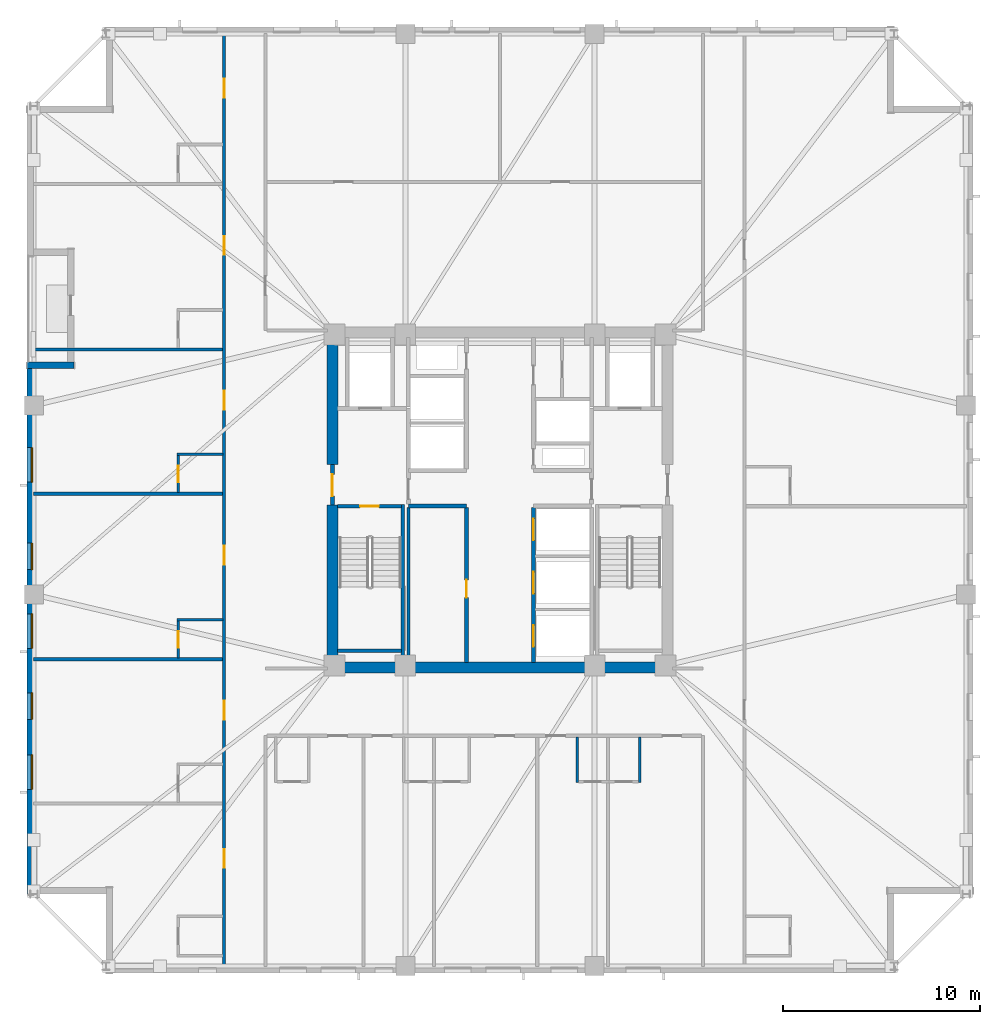
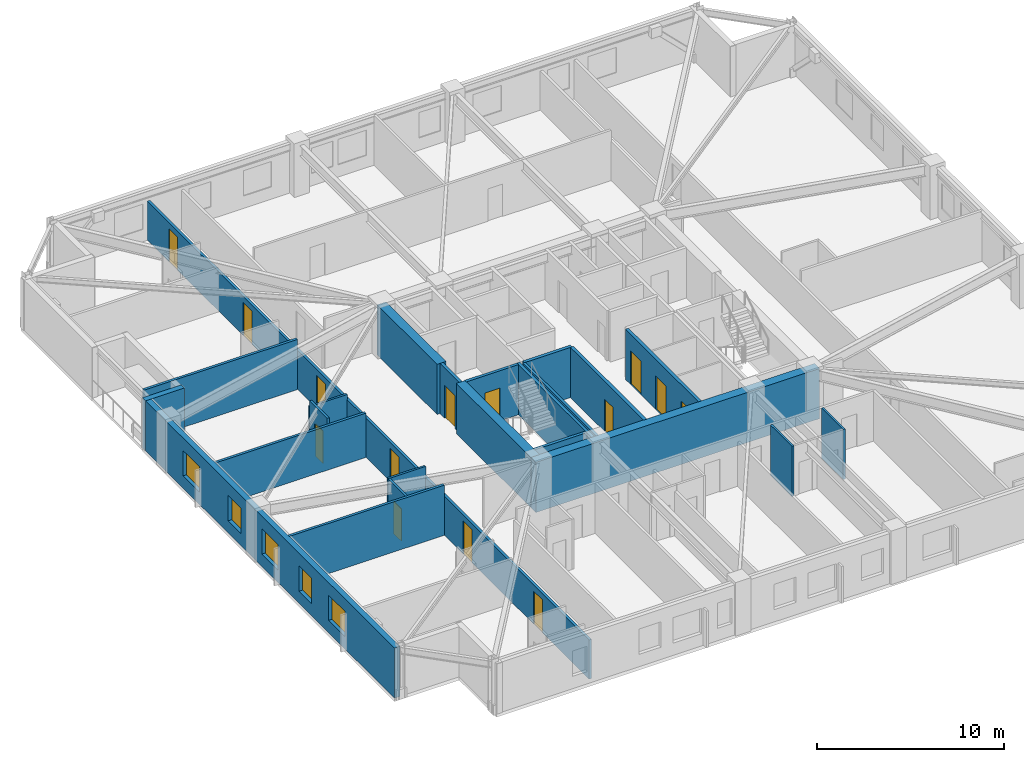
# One storey, part 3 of 11: 23 walls, 14 doors, 5 windows, 19 openings.
"""IFC4 building model written with IfcOpenShell, lengths in metres."""

from ifc_helpers import new_model, si_unit, direction, frame, frame_2d, origin, place, context, subcontext, project, spatial, rectangle, extrude, material, layer, layer_set, type_object, element, fill, save


model = new_model("IFC4")

# Units and contexts
model_context = context("Model", 3, precision=1e-05, world=origin(), true_north=direction((0.0, 1.0)))
body_context = subcontext(model_context, "Body", "Model", "MODEL_VIEW")
ifc_project = project(units=[si_unit("LENGTHUNIT", "METRE"), si_unit("AREAUNIT", "SQUARE_METRE"), si_unit("VOLUMEUNIT", "CUBIC_METRE"), si_unit("PLANEANGLEUNIT", "RADIAN"), si_unit("MASSUNIT", "GRAM", prefix="KILO")], contexts=[model_context])

# Site, building, storey
site_placement = place(None, origin())
site = spatial("IfcSite", under=ifc_project, at=site_placement, CompositionType="ELEMENT")
building_placement = place(site_placement, origin())
building = spatial("IfcBuilding", under=site, at=building_placement, Name="Cairnveth Concourse Tower", CompositionType="ELEMENT")
storey_placement = place(building_placement, frame((0.0, 0.0, 116.5)))
storey = spatial("IfcBuildingStorey", under=building, at=storey_placement, Name="L31", CompositionType="ELEMENT", Elevation=116.5)

# Wall
ifc_material_1 = material(Name="Gypsum Plasterboard Partition", Category="gypsum")
ifc_layer_1 = layer(ifc_material_1, 0.159912109375)
ifc_layer_set_1 = layer_set([ifc_layer_1], Name="Gypsum Plasterboard Partition")
wall_type_1 = type_object("IfcWallType", Name="ACOUSTIC PARTY WALL 180", PredefinedType="PARTITIONING", material=ifc_layer_set_1)
wall_1_placement = place(storey_placement, frame((47.35009765625, 30.760009765625, 0.0), z_axis=(0.0, 0.0, 1.0), x_axis=(0.0, 1.0, 0.0)))
element("IfcWall", 1, at=wall_1_placement, inside=storey, type_object=wall_type_1, Name="Interior Wall IW-L31-025", PredefinedType="PARTITIONING", context=body_context, shape_type="SweptSolid", body=[
    extrude(rectangle(XDim=7.85498046875, YDim=0.159912109375, at=frame_2d((3.927490234375, 0.0))), origin(), (0.0, 0.0, 1.0), 3.280029296875),
])

# Wall, openings, doors
wall_2_placement = place(storey_placement, frame((38.0, 15.324951171875, 0.0), z_axis=(0.0, 0.0, 1.0), x_axis=(0.0, 1.0, 0.0)))
wall_2 = element("IfcWall", 2, at=wall_2_placement, inside=storey, type_object=wall_type_1, Name="Interior Wall IW-L31-036", PredefinedType="PARTITIONING", context=body_context, shape_type="SweptSolid", body=[
    extrude(rectangle(XDim=47.35009765625, YDim=0.159912109375, at=frame_2d((23.675048828125, 0.0))), origin(), (0.0, 0.0, 1.0), 2.554931640625),
])
opening_1_placement = place(wall_2_placement, frame((5.00341796875, 0.0, 0.0)))
opening_1 = element("IfcOpeningElement", 3, at=opening_1_placement, cuts=wall_2, Name="Opening ID09", PredefinedType="OPENING", context=body_context, shape_type="SweptSolid", body=[
    extrude(rectangle(XDim=0.9599609375, YDim=2.14990234375, at=frame_2d((0.47998046875, 1.074951171875))), frame((0.0, 0.08984375, 0.0), z_axis=(0.0, -1.0, 0.0), x_axis=(1.0, 0.0, 0.0)), (0.0, 0.0, 1.0), 0.179931640625),
])
opening_2_placement = place(wall_2_placement, frame((12.52880859375, 0.0, 0.0)))
opening_2 = element("IfcOpeningElement", 4, at=opening_2_placement, cuts=wall_2, Name="Opening ID09", PredefinedType="OPENING", context=body_context, shape_type="SweptSolid", body=[
    extrude(rectangle(XDim=0.9599609375, YDim=2.14990234375, at=frame_2d((0.47998046875, 1.074951171875))), frame((0.0, 0.08984375, 0.0), z_axis=(0.0, -1.0, 0.0), x_axis=(1.0, 0.0, 0.0)), (0.0, 0.0, 1.0), 0.179931640625),
])
opening_3_placement = place(wall_2_placement, frame((20.388671875, 0.0, 0.0)))
opening_3 = element("IfcOpeningElement", 5, at=opening_3_placement, cuts=wall_2, Name="Opening ID09", PredefinedType="OPENING", context=body_context, shape_type="SweptSolid", body=[
    extrude(rectangle(XDim=0.9599609375, YDim=2.14990234375, at=frame_2d((0.47998046875, 1.074951171875))), frame((0.0, 0.08984375, 0.0), z_axis=(0.0, -1.0, 0.0), x_axis=(1.0, 0.0, 0.0)), (0.0, 0.0, 1.0), 0.179931640625),
])
opening_4_placement = place(wall_2_placement, frame((28.248779296875, 0.0, 0.0)))
opening_4 = element("IfcOpeningElement", 6, at=opening_4_placement, cuts=wall_2, Name="Opening ID09", PredefinedType="OPENING", context=body_context, shape_type="SweptSolid", body=[
    extrude(rectangle(XDim=0.9599609375, YDim=2.14990234375, at=frame_2d((0.47998046875, 1.074951171875))), frame((0.0, 0.08984375, 0.0), z_axis=(0.0, -1.0, 0.0), x_axis=(1.0, 0.0, 0.0)), (0.0, 0.0, 1.0), 0.179931640625),
])
opening_5_placement = place(wall_2_placement, frame((36.10888671875, 0.0, 0.0)))
opening_5 = element("IfcOpeningElement", 7, at=opening_5_placement, cuts=wall_2, Name="Opening ID09", PredefinedType="OPENING", context=body_context, shape_type="SweptSolid", body=[
    extrude(rectangle(XDim=0.9599609375, YDim=2.14990234375, at=frame_2d((0.47998046875, 1.074951171875))), frame((0.0, 0.08984375, 0.0), z_axis=(0.0, -1.0, 0.0), x_axis=(1.0, 0.0, 0.0)), (0.0, 0.0, 1.0), 0.179931640625),
])
opening_6_placement = place(wall_2_placement, frame((44.07861328125, 0.0, 0.0)))
opening_6 = element("IfcOpeningElement", 8, at=opening_6_placement, cuts=wall_2, Name="Opening ID09", PredefinedType="OPENING", context=body_context, shape_type="SweptSolid", body=[
    extrude(rectangle(XDim=0.9599609375, YDim=2.14990234375, at=frame_2d((0.47998046875, 1.074951171875))), frame((0.0, 0.08984375, 0.0), z_axis=(0.0, -1.0, 0.0), x_axis=(1.0, 0.0, 0.0)), (0.0, 0.0, 1.0), 0.179931640625),
])
ifc_material_2 = material(Name="Solid Core Hardwood Timber Leaf", Category="wood")
door_type_1 = type_object("IfcDoorType", Name="HOTEL ENTRANCE DOOR 960X2150", OperationType="NOTDEFINED", PredefinedType="DOOR", material=ifc_material_2)
door_1_placement = place(opening_1_placement, origin())
door_1 = element("IfcDoor", 9, at=door_1_placement, inside=storey, type_object=door_type_1, Name="Hotel Room Door L31-W1", OperationType="SINGLE_SWING_LEFT", OverallHeight=2.14990234375, OverallWidth=0.9599609375, PredefinedType="DOOR", context=body_context, shape_type="SweptSolid", body=[
    extrude(rectangle(XDim=0.9599609375, YDim=2.14990234375, at=frame_2d((0.47998046875, 1.074951171875))), frame((0.0, 0.02490234375, 0.0), z_axis=(0.0, -1.0, 0.0), x_axis=(1.0, 0.0, 0.0)), (0.0, 0.0, 1.0), 0.050048828125),
])
fill(opening_1, door_1)
door_2_placement = place(opening_2_placement, origin())
door_2 = element("IfcDoor", 10, at=door_2_placement, inside=storey, type_object=door_type_1, Name="Hotel Room Door L31-W2", OperationType="SINGLE_SWING_LEFT", OverallHeight=2.14990234375, OverallWidth=0.9599609375, PredefinedType="DOOR", context=body_context, shape_type="SweptSolid", body=[
    extrude(rectangle(XDim=0.9599609375, YDim=2.14990234375, at=frame_2d((0.47998046875, 1.074951171875))), frame((0.0, 0.02490234375, 0.0), z_axis=(0.0, -1.0, 0.0), x_axis=(1.0, 0.0, 0.0)), (0.0, 0.0, 1.0), 0.050048828125),
])
fill(opening_2, door_2)
door_3_placement = place(opening_3_placement, origin())
door_3 = element("IfcDoor", 11, at=door_3_placement, inside=storey, type_object=door_type_1, Name="Hotel Room Door L31-W3", OperationType="SINGLE_SWING_LEFT", OverallHeight=2.14990234375, OverallWidth=0.9599609375, PredefinedType="DOOR", context=body_context, shape_type="SweptSolid", body=[
    extrude(rectangle(XDim=0.9599609375, YDim=2.14990234375, at=frame_2d((0.47998046875, 1.074951171875))), frame((0.0, 0.02490234375, 0.0), z_axis=(0.0, -1.0, 0.0), x_axis=(1.0, 0.0, 0.0)), (0.0, 0.0, 1.0), 0.050048828125),
])
fill(opening_3, door_3)
door_4_placement = place(opening_4_placement, origin())
door_4 = element("IfcDoor", 12, at=door_4_placement, inside=storey, type_object=door_type_1, Name="Hotel Room Door L31-W4", OperationType="SINGLE_SWING_LEFT", OverallHeight=2.14990234375, OverallWidth=0.9599609375, PredefinedType="DOOR", context=body_context, shape_type="SweptSolid", body=[
    extrude(rectangle(XDim=0.9599609375, YDim=2.14990234375, at=frame_2d((0.47998046875, 1.074951171875))), frame((0.0, 0.02490234375, 0.0), z_axis=(0.0, -1.0, 0.0), x_axis=(1.0, 0.0, 0.0)), (0.0, 0.0, 1.0), 0.050048828125),
])
fill(opening_4, door_4)
door_5_placement = place(opening_5_placement, origin())
door_5 = element("IfcDoor", 13, at=door_5_placement, inside=storey, type_object=door_type_1, Name="Hotel Room Door L31-W5", OperationType="SINGLE_SWING_LEFT", OverallHeight=2.14990234375, OverallWidth=0.9599609375, PredefinedType="DOOR", context=body_context, shape_type="SweptSolid", body=[
    extrude(rectangle(XDim=0.9599609375, YDim=2.14990234375, at=frame_2d((0.47998046875, 1.074951171875))), frame((0.0, 0.02490234375, 0.0), z_axis=(0.0, -1.0, 0.0), x_axis=(1.0, 0.0, 0.0)), (0.0, 0.0, 1.0), 0.050048828125),
])
fill(opening_5, door_5)
door_6_placement = place(opening_6_placement, origin())
door_6 = element("IfcDoor", 14, at=door_6_placement, inside=storey, type_object=door_type_1, Name="Hotel Room Door L31-W6", OperationType="SINGLE_SWING_LEFT", OverallHeight=2.14990234375, OverallWidth=0.9599609375, PredefinedType="DOOR", context=body_context, shape_type="SweptSolid", body=[
    extrude(rectangle(XDim=0.9599609375, YDim=2.14990234375, at=frame_2d((0.47998046875, 1.074951171875))), frame((0.0, 0.02490234375, 0.0), z_axis=(0.0, -1.0, 0.0), x_axis=(1.0, 0.0, 0.0)), (0.0, 0.0, 1.0), 0.050048828125),
])
fill(opening_6, door_6)

# Walls
wall_3_placement = place(storey_placement, frame((28.324951171875, 30.920654296875, 0.0), z_axis=(0.0, 0.0, 1.0), x_axis=(1.0, 0.0, 0.0)))
element("IfcWall", 15, at=wall_3_placement, inside=storey, type_object=wall_type_1, Name="Interior Wall IW-L31-070", PredefinedType="PARTITIONING", context=body_context, shape_type="SweptSolid", body=[
    extrude(rectangle(XDim=9.594970703125, YDim=0.159912109375, at=frame_2d((4.79736328125, 0.0))), origin(), (0.0, 0.0, 1.0), 3.280029296875),
])
wall_4_placement = place(storey_placement, frame((28.324951171875, 39.31689453125, 0.0), z_axis=(0.0, 0.0, 1.0), x_axis=(1.0, 0.0, 0.0)))
element("IfcWall", 16, at=wall_4_placement, inside=storey, type_object=wall_type_1, Name="Interior Wall IW-L31-073", PredefinedType="PARTITIONING", context=body_context, shape_type="SweptSolid", body=[
    extrude(rectangle(XDim=9.594970703125, YDim=0.159912109375, at=frame_2d((4.79736328125, 0.0))), origin(), (0.0, 0.0, 1.0), 2.89599609375),
])
wall_5_placement = place(storey_placement, frame((28.4150390625, 46.640625, 0.0), z_axis=(0.0, 0.0, 1.0), x_axis=(1.0, 0.0, 0.0)))
element("IfcWall", 17, at=wall_5_placement, inside=storey, type_object=wall_type_1, Name="Interior Wall IW-L31-076", PredefinedType="PARTITIONING", context=body_context, shape_type="SweptSolid", body=[
    extrude(rectangle(XDim=9.5048828125, YDim=0.159912109375, at=frame_2d((4.75244140625, 0.0))), origin(), (0.0, 0.0, 1.0), 3.280029296875),
])
ifc_material_3 = material(Name="Concrete N80 (80 MPa)", Category="concrete")
ifc_layer_2 = layer(ifc_material_3, 0.550048828125)
ifc_layer_set_2 = layer_set([ifc_layer_2], Name="Concrete N80 (80 MPa)")
wall_type_2 = type_object("IfcWallType", Name="CORE SHEAR WALL 550", PredefinedType="SHEAR", material=ifc_layer_set_2)
wall_6_placement = place(storey_placement, frame((43.22509765625, 30.5, 0.0), z_axis=(0.0, 0.0, 1.0), x_axis=(1.0, 0.0, 0.0)))
element("IfcWall", 18, at=wall_6_placement, inside=storey, type_object=wall_type_2, Name="Core South Shear Wall L31", PredefinedType="SHEAR", context=body_context, shape_type="SweptSolid", body=[
    extrude(rectangle(XDim=17.5498046875, YDim=0.550048828125, at=frame_2d((8.77490234375, 0.0))), origin(), (0.0, 0.0, 1.0), 3.280029296875),
])
wall_7_placement = place(storey_placement, frame((43.5, 30.764892578125, 0.0), z_axis=(0.0, 0.0, 1.0), x_axis=(0.0, 1.0, 0.0)))
element("IfcWall", 19, at=wall_7_placement, inside=storey, type_object=wall_type_2, Name="Core West Shear Wall S L31", PredefinedType="SHEAR", context=body_context, shape_type="SweptSolid", body=[
    extrude(rectangle(XDim=7.985107421875, YDim=0.550048828125, at=frame_2d((3.99267578125, 0.0))), origin(), (0.0, 0.0, 1.0), 3.280029296875),
])
wall_8_placement = place(storey_placement, frame((43.5, 40.800048828125, 0.0), z_axis=(0.0, 0.0, 1.0), x_axis=(0.0, 1.0, 0.0)))
element("IfcWall", 20, at=wall_8_placement, inside=storey, type_object=wall_type_2, Name="Core West Shear Wall N L31", PredefinedType="SHEAR", context=body_context, shape_type="SweptSolid", body=[
    extrude(rectangle(XDim=6.43505859375, YDim=0.550048828125, at=frame_2d((3.217529296875, 0.0))), origin(), (0.0, 0.0, 1.0), 3.280029296875),
])

# Wall, opening, door
ifc_material_4 = material(Name="Concrete N50 (50 MPa)", Category="concrete")
ifc_layer_3 = layer(ifc_material_4, 0.179931640625)
ifc_layer_set_3 = layer_set([ifc_layer_3], Name="Concrete N50 (50 MPa)")
wall_type_3 = type_object("IfcWallType", Name="FIRE SHAFT WALL 180", PredefinedType="SOLIDWALL", material=ifc_layer_set_3)
wall_9_placement = place(storey_placement, frame((43.764892578125, 38.68994140625, 0.0), z_axis=(0.0, 0.0, 1.0), x_axis=(1.0, 0.0, 0.0)))
wall_9 = element("IfcWall", 21, at=wall_9_placement, inside=storey, type_object=wall_type_3, Name="Stair ST-1 Shaft Wall NEAR L31", PredefinedType="SOLIDWALL", context=body_context, shape_type="SweptSolid", body=[
    extrude(rectangle(XDim=3.230224609375, YDim=0.179931640625, at=frame_2d((1.615234375, 0.0))), origin(), (0.0, 0.0, 1.0), 3.280029296875),
])
opening_7_placement = place(wall_9_placement, frame((1.139892578125, 0.0, 0.0)))
opening_7 = element("IfcOpeningElement", 22, at=opening_7_placement, cuts=wall_9, Name="Opening ID12", PredefinedType="OPENING", context=body_context, shape_type="SweptSolid", body=[
    extrude(rectangle(XDim=0.949951171875, YDim=2.14990234375, at=frame_2d((0.47509765625, 1.074951171875))), frame((0.0, 0.099853515625, 0.0), z_axis=(0.0, -1.0, 0.0), x_axis=(1.0, 0.0, 0.0)), (0.0, 0.0, 1.0), 0.199951171875),
])
ifc_material_5 = material(Name="Steel Grade 350", Category="steel")
door_type_2 = type_object("IfcDoorType", Name="FIRE STAIR DOOR 950X2150", OperationType="NOTDEFINED", PredefinedType="DOOR", material=ifc_material_5)
door_7_placement = place(opening_7_placement, origin())
door_7 = element("IfcDoor", 23, at=door_7_placement, inside=storey, type_object=door_type_2, Name="Stair ST-1 Fire Door L31", OperationType="SINGLE_SWING_LEFT", OverallHeight=2.14990234375, OverallWidth=0.949951171875, PredefinedType="DOOR", context=body_context, shape_type="SweptSolid", body=[
    extrude(rectangle(XDim=0.949951171875, YDim=2.14990234375, at=frame_2d((0.47509765625, 1.074951171875))), frame((0.0, 0.02490234375, 0.0), z_axis=(0.0, -1.0, 0.0), x_axis=(1.0, 0.0, 0.0)), (0.0, 0.0, 1.0), 0.050048828125),
])
fill(opening_7, door_7)

# Walls
wall_10_placement = place(storey_placement, frame((43.764892578125, 31.360107421875, 0.0), z_axis=(0.0, 0.0, 1.0), x_axis=(1.0, 0.0, 0.0)))
element("IfcWall", 24, at=wall_10_placement, inside=storey, type_object=wall_type_3, Name="Stair ST-1 Shaft Wall FAR L31", PredefinedType="SOLIDWALL", context=body_context, shape_type="SweptSolid", body=[
    extrude(rectangle(XDim=3.230224609375, YDim=0.179931640625, at=frame_2d((1.615234375, 0.0))), origin(), (0.0, 0.0, 1.0), 3.280029296875),
])
wall_11_placement = place(storey_placement, frame((47.070068359375, 38.780029296875, 0.0), z_axis=(0.0, 0.0, 1.0), x_axis=(0.0, -1.0, 0.0)))
element("IfcWall", 25, at=wall_11_placement, inside=storey, type_object=wall_type_3, Name="Stair ST-1 Shaft Wall RGHT L31", PredefinedType="SOLIDWALL", context=body_context, shape_type="SweptSolid", body=[
    extrude(rectangle(XDim=8.01708984375, YDim=0.179931640625, at=frame_2d((4.008544921875, 0.0))), origin(), (0.0, 0.0, 1.0), 3.280029296875),
])
ifc_layer_4 = layer(ifc_material_4, 0.199951171875)
ifc_layer_set_4 = layer_set([ifc_layer_4], Name="Concrete N50 (50 MPa)")
wall_type_4 = type_object("IfcWallType", Name="FIRE SHAFT WALL 200", PredefinedType="SOLIDWALL", material=ifc_layer_set_4)
wall_12_placement = place(storey_placement, frame((47.35009765625, 38.699951171875, 0.0), z_axis=(0.0, 0.0, 1.0), x_axis=(1.0, 0.0, 0.0)))
element("IfcWall", 26, at=wall_12_placement, inside=storey, type_object=wall_type_4, Name="Interior Wall IW-L31-007", PredefinedType="SOLIDWALL", context=body_context, shape_type="SweptSolid", body=[
    extrude(rectangle(XDim=2.949951171875, YDim=0.199951171875, at=frame_2d((1.47509765625, 0.0))), origin(), (0.0, 0.0, 1.0), 3.280029296875),
])

# Wall, opening, door
wall_13_placement = place(storey_placement, frame((50.300048828125, 30.760009765625, 0.0), z_axis=(0.0, 0.0, 1.0), x_axis=(0.0, 1.0, 0.0)))
wall_13 = element("IfcWall", 27, at=wall_13_placement, inside=storey, type_object=wall_type_4, Name="Interior Wall IW-L31-011", PredefinedType="SOLIDWALL", context=body_context, shape_type="SweptSolid", body=[
    extrude(rectangle(XDim=7.85498046875, YDim=0.199951171875, at=frame_2d((3.927490234375, 0.0))), origin(), (0.0, 0.0, 1.0), 3.280029296875),
])
opening_8_placement = place(wall_13_placement, frame((3.2900390625, 0.0, 0.0)))
opening_8 = element("IfcOpeningElement", 28, at=opening_8_placement, cuts=wall_13, Name="Opening ID16", PredefinedType="OPENING", context=body_context, shape_type="SweptSolid", body=[
    extrude(rectangle(XDim=0.89990234375, YDim=2.1201171875, at=frame_2d((0.449951171875, 1.06005859375))), frame((0.0, 0.10986328125, 0.0), z_axis=(0.0, -1.0, 0.0), x_axis=(1.0, 0.0, 0.0)), (0.0, 0.0, 1.0), 0.219970703125),
])
door_type_3 = type_object("IfcDoorType", Name="CORE SERVICE DOOR 900X2100", OperationType="NOTDEFINED", PredefinedType="DOOR", material=ifc_material_5)
door_8_placement = place(opening_8_placement, origin())
door_8 = element("IfcDoor", 29, at=door_8_placement, inside=storey, type_object=door_type_3, Name="Linen Pantry Suite Door L31", OperationType="SINGLE_SWING_LEFT", OverallHeight=2.1201171875, OverallWidth=0.89990234375, PredefinedType="DOOR", context=body_context, shape_type="SweptSolid", body=[
    extrude(rectangle(XDim=0.89990234375, YDim=2.1201171875, at=frame_2d((0.449951171875, 1.06005859375))), frame((0.0, 0.02490234375, 0.0), z_axis=(0.0, -1.0, 0.0), x_axis=(1.0, 0.0, 0.0)), (0.0, 0.0, 1.0), 0.050048828125),
])
fill(opening_8, door_8)

# Wall, openings, doors
wall_14_placement = place(storey_placement, frame((53.699951171875, 30.760009765625, 0.0), z_axis=(0.0, 0.0, 1.0), x_axis=(0.0, 1.0, 0.0)))
wall_14 = element("IfcWall", 30, at=wall_14_placement, inside=storey, type_object=wall_type_4, Name="Interior Wall IW-L31-012", PredefinedType="SOLIDWALL", context=body_context, shape_type="SweptSolid", body=[
    extrude(rectangle(XDim=7.85498046875, YDim=0.199951171875, at=frame_2d((3.927490234375, 0.0))), origin(), (0.0, 0.0, 1.0), 3.280029296875),
])
opening_9_placement = place(wall_14_placement, frame((0.7900390625, 0.0, 0.0)))
opening_9 = element("IfcOpeningElement", 31, at=opening_9_placement, cuts=wall_14, Name="Opening LD-1", PredefinedType="OPENING", context=body_context, shape_type="SweptSolid", body=[
    extrude(rectangle(XDim=1.10009765625, YDim=2.199951171875, at=frame_2d((0.550048828125, 1.10009765625))), frame((0.0, 0.10986328125, 0.0), z_axis=(0.0, -1.0, 0.0), x_axis=(1.0, 0.0, 0.0)), (0.0, 0.0, 1.0), 0.219970703125),
])
opening_10_placement = place(wall_14_placement, frame((3.489990234375, 0.0, 0.0)))
opening_10 = element("IfcOpeningElement", 32, at=opening_10_placement, cuts=wall_14, Name="Opening LD-1", PredefinedType="OPENING", context=body_context, shape_type="SweptSolid", body=[
    extrude(rectangle(XDim=1.10009765625, YDim=2.199951171875, at=frame_2d((0.550048828125, 1.10009765625))), frame((0.0, 0.10986328125, 0.0), z_axis=(0.0, -1.0, 0.0), x_axis=(1.0, 0.0, 0.0)), (0.0, 0.0, 1.0), 0.219970703125),
])
opening_11_placement = place(wall_14_placement, frame((6.18994140625, 0.0, 0.0)))
opening_11 = element("IfcOpeningElement", 33, at=opening_11_placement, cuts=wall_14, Name="Opening LD-1", PredefinedType="OPENING", context=body_context, shape_type="SweptSolid", body=[
    extrude(rectangle(XDim=1.10009765625, YDim=2.199951171875, at=frame_2d((0.550048828125, 1.10009765625))), frame((0.0, 0.10986328125, 0.0), z_axis=(0.0, -1.0, 0.0), x_axis=(1.0, 0.0, 0.0)), (0.0, 0.0, 1.0), 0.219970703125),
])
ifc_material_6 = material(Name="Architectural Bronze Anodised Aluminium 6063-T6", Category="aluminium")
door_type_4 = type_object("IfcDoorType", Name="LIFT LANDING DOOR 1100X2200", OperationType="SLIDING_TO_LEFT", PredefinedType="DOOR", material=ifc_material_6)
door_9_placement = place(opening_9_placement, origin())
door_9 = element("IfcDoor", 34, at=door_9_placement, inside=storey, type_object=door_type_4, Name="Lift PL4 Landing Door L31", OperationType="SLIDING_TO_LEFT", OverallHeight=2.199951171875, OverallWidth=1.10009765625, PredefinedType="DOOR", context=body_context, shape_type="SweptSolid", body=[
    extrude(rectangle(XDim=1.10009765625, YDim=2.199951171875, at=frame_2d((0.550048828125, 1.10009765625))), frame((0.0, 0.02490234375, 0.0), z_axis=(0.0, -1.0, 0.0), x_axis=(1.0, 0.0, 0.0)), (0.0, 0.0, 1.0), 0.050048828125),
])
fill(opening_9, door_9)
door_10_placement = place(opening_10_placement, origin())
door_10 = element("IfcDoor", 35, at=door_10_placement, inside=storey, type_object=door_type_4, Name="Lift PL5 Landing Door L31", OperationType="SLIDING_TO_LEFT", OverallHeight=2.199951171875, OverallWidth=1.10009765625, PredefinedType="DOOR", context=body_context, shape_type="SweptSolid", body=[
    extrude(rectangle(XDim=1.10009765625, YDim=2.199951171875, at=frame_2d((0.550048828125, 1.10009765625))), frame((0.0, 0.02490234375, 0.0), z_axis=(0.0, -1.0, 0.0), x_axis=(1.0, 0.0, 0.0)), (0.0, 0.0, 1.0), 0.050048828125),
])
fill(opening_10, door_10)
door_11_placement = place(opening_11_placement, origin())
door_11 = element("IfcDoor", 36, at=door_11_placement, inside=storey, type_object=door_type_4, Name="Lift PL6 Landing Door L31", OperationType="SLIDING_TO_LEFT", OverallHeight=2.199951171875, OverallWidth=1.10009765625, PredefinedType="DOOR", context=body_context, shape_type="SweptSolid", body=[
    extrude(rectangle(XDim=1.10009765625, YDim=2.199951171875, at=frame_2d((0.550048828125, 1.10009765625))), frame((0.0, 0.02490234375, 0.0), z_axis=(0.0, -1.0, 0.0), x_axis=(1.0, 0.0, 0.0)), (0.0, 0.0, 1.0), 0.050048828125),
])
fill(opening_11, door_11)

# Wall, opening, door
wall_15_placement = place(storey_placement, frame((43.5, 38.75, 0.0), z_axis=(0.0, 0.0, 1.0), x_axis=(0.0, 1.0, 0.0)))
wall_15 = element("IfcWall", 37, at=wall_15_placement, inside=storey, type_object=wall_type_4, Name="Interior Wall IW-L31-015", PredefinedType="SOLIDWALL", context=body_context, shape_type="SweptSolid", body=[
    extrude(rectangle(XDim=2.050048828125, YDim=0.199951171875, at=frame_2d((1.02490234375, 0.0))), origin(), (0.0, 0.0, 1.0), 3.280029296875),
])
opening_12_placement = place(wall_15_placement, frame((0.449951171875, 0.0, 0.0)))
opening_12 = element("IfcOpeningElement", 38, at=opening_12_placement, cuts=wall_15, Name="Opening ID06", PredefinedType="OPENING", context=body_context, shape_type="SweptSolid", body=[
    extrude(rectangle(XDim=1.10009765625, YDim=2.14990234375, at=frame_2d((0.550048828125, 1.074951171875))), frame((0.0, 0.10986328125, 0.0), z_axis=(0.0, -1.0, 0.0), x_axis=(1.0, 0.0, 0.0)), (0.0, 0.0, 1.0), 0.219970703125),
])
door_type_5 = type_object("IfcDoorType", Name="FIRE CORRIDOR DOOR 1100X2150", OperationType="NOTDEFINED", PredefinedType="DOOR", material=ifc_material_5)
door_12_placement = place(opening_12_placement, origin())
door_12 = element("IfcDoor", 39, at=door_12_placement, inside=storey, type_object=door_type_5, Name="West Wing to FF Lobby Door L31", OperationType="SINGLE_SWING_LEFT", OverallHeight=2.14990234375, OverallWidth=1.10009765625, PredefinedType="DOOR", context=body_context, shape_type="SweptSolid", body=[
    extrude(rectangle(XDim=1.10009765625, YDim=2.14990234375, at=frame_2d((0.550048828125, 1.074951171875))), frame((0.0, 0.02490234375, 0.0), z_axis=(0.0, -1.0, 0.0), x_axis=(1.0, 0.0, 0.0)), (0.0, 0.0, 1.0), 0.050048828125),
])
fill(opening_12, door_12)

# Walls
ifc_layer_5 = layer(ifc_material_1, 0.1298828125)
ifc_layer_set_5 = layer_set([ifc_layer_5], Name="Gypsum Plasterboard Partition")
wall_type_5 = type_object("IfcWallType", Name="WET AREA PARTITION 140", PredefinedType="PLUMBINGWALL", material=ifc_layer_set_5)
for number, where, z_axis, x_axis, name in (
    (40, (55.924560546875, 24.659912109375, 0.0), (0.0, 0.0, 1.0), (0.0, 1.0, 0.0), "Interior Wall IW-L31-059"),
    (41, (59.087890625, 24.659912109375, 0.0), (0.0, 0.0, 1.0), (0.0, 1.0, 0.0), "Interior Wall IW-L31-062"),
):
    element("IfcWall", number, at=place(storey_placement, frame(where, z_axis=z_axis, x_axis=x_axis)), inside=storey, type_object=wall_type_5, Name=name, PredefinedType="PLUMBINGWALL", context=body_context, shape_type="SweptSolid", body=[
        extrude(rectangle(XDim=2.315185546875, YDim=0.1298828125, at=frame_2d((1.15771484375, 0.0))), origin(), (0.0, 0.0, 1.0), 3.280029296875),
    ])
wall_16_placement = place(storey_placement, frame((35.6201171875, 32.920654296875, 0.0), z_axis=(0.0, 0.0, 1.0), x_axis=(1.0, 0.0, 0.0)))
element("IfcWall", 42, at=wall_16_placement, inside=storey, type_object=wall_type_5, Name="Interior Wall IW-L31-071", PredefinedType="PLUMBINGWALL", context=body_context, shape_type="SweptSolid", body=[
    extrude(rectangle(XDim=2.31494140625, YDim=0.1298828125, at=frame_2d((1.157470703125, 0.0))), origin(), (0.0, 0.0, 1.0), 3.280029296875),
])

# Wall, opening, door
wall_17_placement = place(storey_placement, frame((35.669921875, 30.985595703125, 0.0), z_axis=(0.0, 0.0, 1.0), x_axis=(0.0, 1.0, 0.0)))
wall_17 = element("IfcWall", 43, at=wall_17_placement, inside=storey, type_object=wall_type_5, Name="Interior Wall IW-L31-072", PredefinedType="PLUMBINGWALL", context=body_context, shape_type="SweptSolid", body=[
    extrude(rectangle(XDim=1.885009765625, YDim=0.1298828125, at=frame_2d((0.9423828125, 0.0))), origin(), (0.0, 0.0, 1.0), 3.280029296875),
])
opening_13_placement = place(wall_17_placement, frame((0.52490234375, 0.0, 0.0)))
opening_13 = element("IfcOpeningElement", 44, at=opening_13_placement, cuts=wall_17, Name="Opening ID22", PredefinedType="OPENING", context=body_context, shape_type="SweptSolid", body=[
    extrude(rectangle(XDim=0.820068359375, YDim=2.10009765625, at=frame_2d((0.41015625, 1.050048828125))), frame((0.0, 0.074951171875, 0.0), z_axis=(0.0, -1.0, 0.0), x_axis=(1.0, 0.0, 0.0)), (0.0, 0.0, 1.0), 0.14990234375),
])
door_type_6 = type_object("IfcDoorType", Name="INTERIOR WC DOOR 820X2100", OperationType="NOTDEFINED", PredefinedType="DOOR", material=ifc_material_2)
door_13_placement = place(opening_13_placement, origin())
door_13 = element("IfcDoor", 45, at=door_13_placement, inside=storey, type_object=door_type_6, Name="En-Suite Door L31-W3", OperationType="SINGLE_SWING_RIGHT", OverallHeight=2.10009765625, OverallWidth=0.820068359375, PredefinedType="DOOR", context=body_context, shape_type="SweptSolid", body=[
    extrude(rectangle(XDim=0.820068359375, YDim=2.10009765625, at=frame_2d((0.41015625, 1.050048828125))), frame((0.0, 0.02490234375, 0.0), z_axis=(0.0, -1.0, 0.0), x_axis=(1.0, 0.0, 0.0)), (0.0, 0.0, 1.0), 0.050048828125),
])
fill(opening_13, door_13)

# Wall
wall_18_placement = place(storey_placement, frame((35.6201171875, 41.31689453125, 0.0), z_axis=(0.0, 0.0, 1.0), x_axis=(1.0, 0.0, 0.0)))
element("IfcWall", 46, at=wall_18_placement, inside=storey, type_object=wall_type_5, Name="Interior Wall IW-L31-074", PredefinedType="PLUMBINGWALL", context=body_context, shape_type="SweptSolid", body=[
    extrude(rectangle(XDim=2.31494140625, YDim=0.1298828125, at=frame_2d((1.157470703125, 0.0))), origin(), (0.0, 0.0, 1.0), 2.89599609375),
])

# Wall, opening, door
wall_19_placement = place(storey_placement, frame((35.669921875, 39.3818359375, 0.0), z_axis=(0.0, 0.0, 1.0), x_axis=(0.0, 1.0, 0.0)))
wall_19 = element("IfcWall", 47, at=wall_19_placement, inside=storey, type_object=wall_type_5, Name="Interior Wall IW-L31-075", PredefinedType="PLUMBINGWALL", context=body_context, shape_type="SweptSolid", body=[
    extrude(rectangle(XDim=1.885009765625, YDim=0.1298828125, at=frame_2d((0.9423828125, 0.0))), origin(), (0.0, 0.0, 1.0), 3.280029296875),
])
opening_14_placement = place(wall_19_placement, frame((0.52490234375, 0.0, 0.0)))
opening_14 = element("IfcOpeningElement", 48, at=opening_14_placement, cuts=wall_19, Name="Opening ID22", PredefinedType="OPENING", context=body_context, shape_type="SweptSolid", body=[
    extrude(rectangle(XDim=0.820068359375, YDim=2.10009765625, at=frame_2d((0.41015625, 1.050048828125))), frame((0.0, 0.074951171875, 0.0), z_axis=(0.0, -1.0, 0.0), x_axis=(1.0, 0.0, 0.0)), (0.0, 0.0, 1.0), 0.14990234375),
])
door_14_placement = place(opening_14_placement, origin())
door_14 = element("IfcDoor", 49, at=door_14_placement, inside=storey, type_object=door_type_6, Name="En-Suite Door L31-W4", OperationType="SINGLE_SWING_RIGHT", OverallHeight=2.10009765625, OverallWidth=0.820068359375, PredefinedType="DOOR", context=body_context, shape_type="SweptSolid", body=[
    extrude(rectangle(XDim=0.820068359375, YDim=2.10009765625, at=frame_2d((0.41015625, 1.050048828125))), frame((0.0, 0.02490234375, 0.0), z_axis=(0.0, -1.0, 0.0), x_axis=(1.0, 0.0, 0.0)), (0.0, 0.0, 1.0), 0.050048828125),
])
fill(opening_14, door_14)

# Wall, openings, windows
ifc_material_7 = material(Name="Hawthorn Red-Ochre Fired Clay Brick Masonry", Category="masonry")
ifc_layer_6 = layer(ifc_material_7, 0.340087890625)
ifc_layer_set_6 = layer_set([ifc_layer_6], Name="Hawthorn Red-Ochre Fired Clay Brick Masonry")
wall_type_6 = type_object("IfcWallType", Name="ZONE 2 BRICK PIER SPANDREL WALL 340", PredefinedType="SOLIDWALL", material=ifc_layer_set_6)
wall_20_placement = place(storey_placement, frame((28.169921875, 19.0, 0.0), z_axis=(0.0, 0.0, 1.0), x_axis=(0.0, 1.0, 0.0)))
wall_20 = element("IfcWall", 50, at=wall_20_placement, inside=storey, type_object=wall_type_6, Name="Exterior Wall EW-L31-S12", PredefinedType="SOLIDWALL", context=body_context, shape_type="SweptSolid", body=[
    extrude(rectangle(XDim=26.681884765625, YDim=0.340087890625, at=frame_2d((13.3408203125, 0.0))), origin(), (0.0, 0.0, 1.0), 3.280029296875),
])
opening_15_placement = place(wall_20_placement, frame((5.3232421875, 0.0, 0.800048828125)))
opening_15 = element("IfcOpeningElement", 51, at=opening_15_placement, cuts=wall_20, Name="Opening W06", PredefinedType="OPENING", context=body_context, shape_type="SweptSolid", body=[
    extrude(rectangle(XDim=1.75, YDim=1.659912109375, at=frame_2d((0.875, 0.830078125))), frame((0.0, 0.179931640625, 0.0), z_axis=(0.0, -1.0, 0.0), x_axis=(1.0, 0.0, 0.0)), (0.0, 0.0, 1.0), 0.360107421875),
])
opening_16_placement = place(wall_20_placement, frame((8.86962890625, 0.0, 0.800048828125)))
opening_16 = element("IfcOpeningElement", 52, at=opening_16_placement, cuts=wall_20, Name="Opening W02", PredefinedType="OPENING", context=body_context, shape_type="SweptSolid", body=[
    extrude(rectangle(XDim=1.35009765625, YDim=1.659912109375, at=frame_2d((0.675048828125, 0.830078125))), frame((0.0, 0.179931640625, 0.0), z_axis=(0.0, -1.0, 0.0), x_axis=(1.0, 0.0, 0.0)), (0.0, 0.0, 1.0), 0.360107421875),
])
opening_17_placement = place(wall_20_placement, frame((12.466064453125, 0.0, 0.800048828125)))
opening_17 = element("IfcOpeningElement", 53, at=opening_17_placement, cuts=wall_20, Name="Opening W06", PredefinedType="OPENING", context=body_context, shape_type="SweptSolid", body=[
    extrude(rectangle(XDim=1.75, YDim=1.659912109375, at=frame_2d((0.875, 0.830078125))), frame((0.0, 0.179931640625, 0.0), z_axis=(0.0, -1.0, 0.0), x_axis=(1.0, 0.0, 0.0)), (0.0, 0.0, 1.0), 0.360107421875),
])
opening_18_placement = place(wall_20_placement, frame((16.46240234375, 0.0, 0.800048828125)))
opening_18 = element("IfcOpeningElement", 54, at=opening_18_placement, cuts=wall_20, Name="Opening W02", PredefinedType="OPENING", context=body_context, shape_type="SweptSolid", body=[
    extrude(rectangle(XDim=1.35009765625, YDim=1.659912109375, at=frame_2d((0.675048828125, 0.830078125))), frame((0.0, 0.179931640625, 0.0), z_axis=(0.0, -1.0, 0.0), x_axis=(1.0, 0.0, 0.0)), (0.0, 0.0, 1.0), 0.360107421875),
])
opening_19_placement = place(wall_20_placement, frame((20.90869140625, 0.0, 0.800048828125)))
opening_19 = element("IfcOpeningElement", 55, at=opening_19_placement, cuts=wall_20, Name="Opening W06", PredefinedType="OPENING", context=body_context, shape_type="SweptSolid", body=[
    extrude(rectangle(XDim=1.75, YDim=1.659912109375, at=frame_2d((0.875, 0.830078125))), frame((0.0, 0.179931640625, 0.0), z_axis=(0.0, -1.0, 0.0), x_axis=(1.0, 0.0, 0.0)), (0.0, 0.0, 1.0), 0.360107421875),
])
ifc_material_8 = material(Name="Double Glazed Low-E Clear Glass", Category="glass")
window_type_1 = type_object("IfcWindowType", Name="DEEP-SET GOTHIC LANCET WINDOW 1350X1800", PartitioningType="DOUBLE_PANEL_VERTICAL", PredefinedType="WINDOW", material=ifc_material_8)
window_1_placement = place(opening_16_placement, origin())
window_1 = element("IfcWindow", 56, at=window_1_placement, inside=storey, type_object=window_type_1, Name="Gothic Lancet Window L31-12-2", OverallHeight=1.659912109375, OverallWidth=1.35009765625, PartitioningType="SINGLE_PANEL", PredefinedType="WINDOW", context=body_context, shape_type="SweptSolid", body=[
    extrude(rectangle(XDim=1.35009765625, YDim=1.659912109375, at=frame_2d((0.675048828125, 0.830078125))), frame((0.0, -0.050048828125, 0.0), z_axis=(0.0, -1.0, 0.0), x_axis=(1.0, 0.0, 0.0)), (0.0, 0.0, 1.0), 0.06005859375),
])
fill(opening_16, window_1)
window_2_placement = place(opening_18_placement, origin())
window_2 = element("IfcWindow", 57, at=window_2_placement, inside=storey, type_object=window_type_1, Name="Gothic Lancet Window L31-12-4", OverallHeight=1.659912109375, OverallWidth=1.35009765625, PartitioningType="SINGLE_PANEL", PredefinedType="WINDOW", context=body_context, shape_type="SweptSolid", body=[
    extrude(rectangle(XDim=1.35009765625, YDim=1.659912109375, at=frame_2d((0.675048828125, 0.830078125))), frame((0.0, -0.050048828125, 0.0), z_axis=(0.0, -1.0, 0.0), x_axis=(1.0, 0.0, 0.0)), (0.0, 0.0, 1.0), 0.06005859375),
])
fill(opening_18, window_2)
window_type_2 = type_object("IfcWindowType", Name="DEEP-SET HOTEL SUITE WINDOW 1750X1800", PartitioningType="DOUBLE_PANEL_VERTICAL", PredefinedType="WINDOW", material=ifc_material_8)
window_3_placement = place(opening_15_placement, origin())
window_3 = element("IfcWindow", 58, at=window_3_placement, inside=storey, type_object=window_type_2, Name="Gothic Lancet Window L31-12-1", OverallHeight=1.659912109375, OverallWidth=1.75, PartitioningType="SINGLE_PANEL", PredefinedType="WINDOW", context=body_context, shape_type="SweptSolid", body=[
    extrude(rectangle(XDim=1.75, YDim=1.659912109375, at=frame_2d((0.875, 0.830078125))), frame((0.0, -0.050048828125, 0.0), z_axis=(0.0, -1.0, 0.0), x_axis=(1.0, 0.0, 0.0)), (0.0, 0.0, 1.0), 0.06005859375),
])
fill(opening_15, window_3)
window_4_placement = place(opening_17_placement, origin())
window_4 = element("IfcWindow", 59, at=window_4_placement, inside=storey, type_object=window_type_2, Name="Gothic Lancet Window L31-12-3", OverallHeight=1.659912109375, OverallWidth=1.75, PartitioningType="SINGLE_PANEL", PredefinedType="WINDOW", context=body_context, shape_type="SweptSolid", body=[
    extrude(rectangle(XDim=1.75, YDim=1.659912109375, at=frame_2d((0.875, 0.830078125))), frame((0.0, -0.050048828125, 0.0), z_axis=(0.0, -1.0, 0.0), x_axis=(1.0, 0.0, 0.0)), (0.0, 0.0, 1.0), 0.06005859375),
])
fill(opening_17, window_4)
window_5_placement = place(opening_19_placement, origin())
window_5 = element("IfcWindow", 60, at=window_5_placement, inside=storey, type_object=window_type_2, Name="Gothic Lancet Window L31-12-5", OverallHeight=1.659912109375, OverallWidth=1.75, PartitioningType="SINGLE_PANEL", PredefinedType="WINDOW", context=body_context, shape_type="SweptSolid", body=[
    extrude(rectangle(XDim=1.75, YDim=1.659912109375, at=frame_2d((0.875, 0.830078125))), frame((0.0, -0.050048828125, 0.0), z_axis=(0.0, -1.0, 0.0), x_axis=(1.0, 0.0, 0.0)), (0.0, 0.0, 1.0), 0.06005859375),
])
fill(opening_19, window_5)

# Wall
wall_21_placement = place(storey_placement, frame((28.0, 45.830078125, 0.0), z_axis=(0.0, 0.0, 1.0), x_axis=(1.0, 0.0, 0.0)))
element("IfcWall", 61, at=wall_21_placement, inside=storey, type_object=wall_type_6, Name="Exterior Wall EW-L31-S13", PredefinedType="SOLIDWALL", context=body_context, shape_type="SweptSolid", body=[
    extrude(rectangle(XDim=2.389892578125, YDim=0.340087890625, at=frame_2d((1.19482421875, 0.0))), origin(), (0.0, 0.0, 1.0), 3.280029296875),
])

save(model, "model.ifc")
